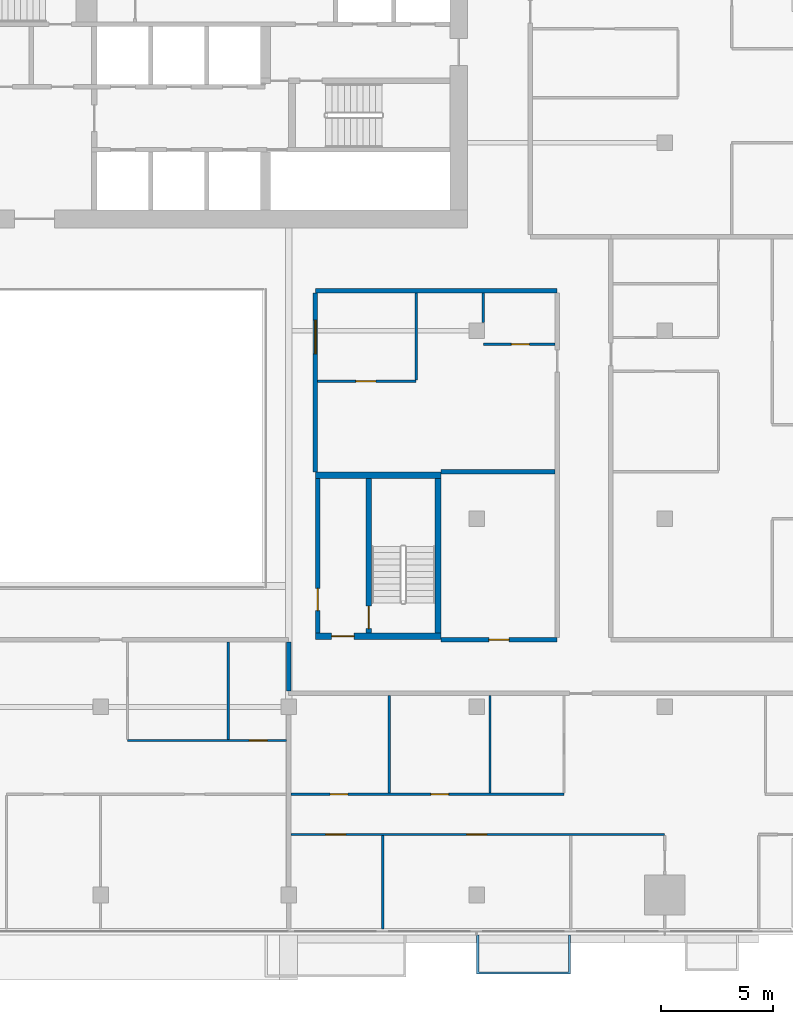
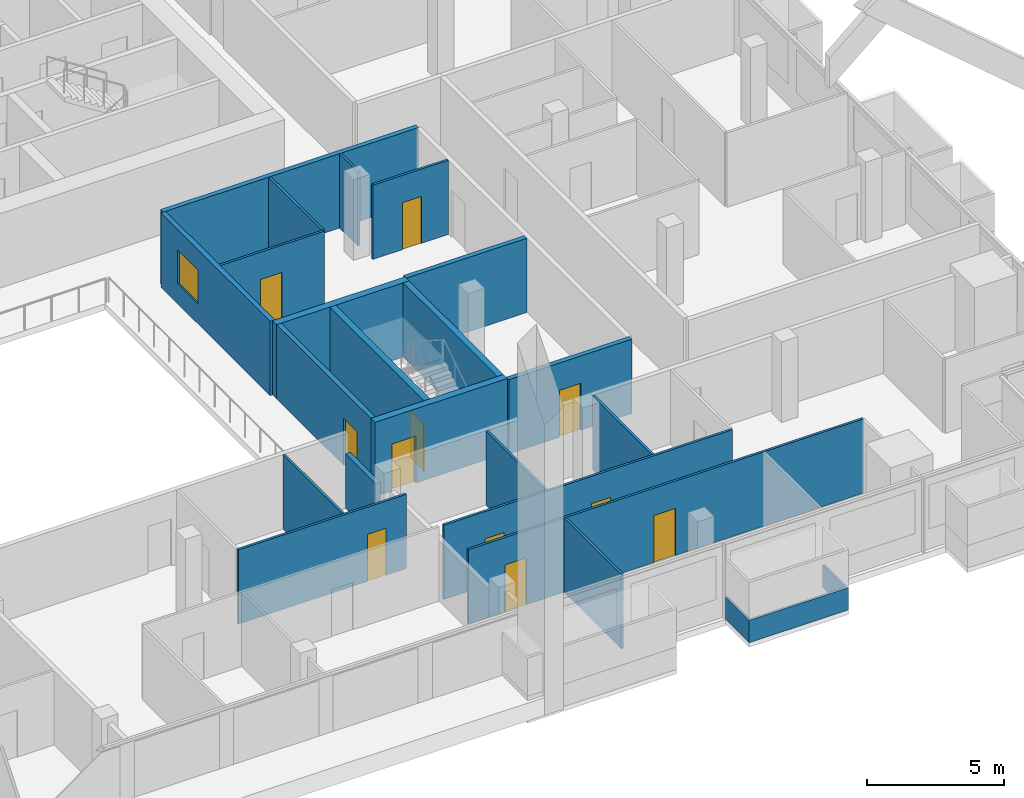
# One storey, part 20 of 31: 22 walls, 11 doors, 1 window, 12 openings.
"""IFC4 building model written with IfcOpenShell, lengths in metres."""

from ifc_helpers import new_model, si_unit, direction, frame, frame_2d, origin, place, context, subcontext, project, spatial, polyline, rectangle, outline, extrude, material, layer, layer_set, type_object, element, fill, save


model = new_model("IFC4")

# Units and contexts
model_context = context("Model", 3, precision=1e-05, world=origin(), true_north=direction((0.0, 1.0)))
body_context = subcontext(model_context, "Body", "Model", "MODEL_VIEW")
ifc_project = project(units=[si_unit("LENGTHUNIT", "METRE"), si_unit("AREAUNIT", "SQUARE_METRE"), si_unit("VOLUMEUNIT", "CUBIC_METRE"), si_unit("PLANEANGLEUNIT", "RADIAN"), si_unit("MASSUNIT", "GRAM", prefix="KILO")], contexts=[model_context])

# Site, building, storey
site_placement = place(None, origin())
site = spatial("IfcSite", under=ifc_project, at=site_placement, CompositionType="ELEMENT")
building_placement = place(site_placement, origin())
building = spatial("IfcBuilding", under=site, at=building_placement, Name="Saffron Gate Tower", CompositionType="ELEMENT")
storey_placement = place(building_placement, frame((0.0, 0.0, 147.449951171875)))
storey = spatial("IfcBuildingStorey", under=building, at=storey_placement, Name="L35", CompositionType="ELEMENT", Elevation=147.449951171875)

# Wall, opening, door
ifc_material_1 = material(Name="Gypsum board partition on steel studs", Category="steel")
ifc_layer_1 = layer(ifc_material_1, 0.199951171875)
ifc_layer_set_1 = layer_set([ifc_layer_1], Name="CW10 Core partition 200")
wall_type_1 = type_object("IfcWallType", Name="CW10 Core partition 200", PredefinedType="PARTITIONING", material=ifc_layer_set_1)
wall_1_placement = place(storey_placement, frame((101.5, 43.5, 0.0), z_axis=(0.0, 0.0, 1.0), x_axis=(0.0, 1.0, 0.0)))
wall_1 = element("IfcWall", 1, at=wall_1_placement, inside=storey, type_object=wall_type_1, Name="Wall CW10-L35-E-2", PredefinedType="PARTITIONING", context=body_context, shape_type="SweptSolid", body=[
    extrude(rectangle(XDim=6.89990234375, YDim=0.199951171875, at=frame_2d((3.449951171875, 0.0))), origin(), (0.0, 0.0, 1.0), 3.320068359375),
])
opening_1_placement = place(wall_1_placement, frame((1.0, 0.0, 0.0)))
opening_1 = element("IfcOpeningElement", 2, at=opening_1_placement, cuts=wall_1, Name="Opening CR-22", PredefinedType="OPENING", context=body_context, shape_type="SweptSolid", body=[
    extrude(rectangle(XDim=1.0, YDim=2.10009765625, at=frame_2d((0.5, 1.050048828125))), frame((0.0, 0.10986328125, 0.0), z_axis=(0.0, -1.0, 0.0), x_axis=(1.0, 0.0, 0.0)), (0.0, 0.0, 1.0), 0.219970703125),
])
ifc_material_2 = material(Name="Steel fire door set", Category="steel")
door_type_1 = type_object("IfcDoorType", Name="CD4 Lobby door 1000x2100 EI 120", OperationType="NOTDEFINED", PredefinedType="DOOR", material=ifc_material_2)
door_1_placement = place(opening_1_placement, origin())
door_1 = element("IfcDoor", 3, at=door_1_placement, inside=storey, type_object=door_type_1, Name="DOOR CR-22", OperationType="SINGLE_SWING_LEFT", OverallHeight=2.10009765625, OverallWidth=1.0, PredefinedType="DOOR", context=body_context, shape_type="SweptSolid", body=[
    extrude(rectangle(XDim=1.0, YDim=2.10009765625, at=frame_2d((0.5, 1.050048828125))), frame((0.0, 0.02490234375, 0.0), z_axis=(0.0, -1.0, 0.0), x_axis=(1.0, 0.0, 0.0)), (0.0, 0.0, 1.0), 0.050048828125),
])
fill(opening_1, door_1)

ifc_material_3 = material(Name="Concrete C60", Category="concrete")
ifc_layer_2 = layer(ifc_material_3, 0.25)
ifc_layer_set_2 = layer_set([ifc_layer_2], Name="CW14 RC core wall 250 C60")
wall_type_2 = type_object("IfcWallType", Name="CW14 RC core wall 250 C60", PredefinedType="SOLIDWALL", material=ifc_layer_set_2)
wall_2_placement = place(storey_placement, frame((103.77490234375, 43.5, 0.0), z_axis=(0.0, 0.0, 1.0), x_axis=(0.0, 1.0, 0.0)))
wall_2 = element("IfcWall", 4, at=wall_2_placement, inside=storey, type_object=wall_type_2, Name="Wall CW14-L35-E-3", PredefinedType="SOLIDWALL", context=body_context, shape_type="SweptSolid", body=[
    extrude(rectangle(XDim=6.89990234375, YDim=0.25, at=frame_2d((3.449951171875, 0.0))), origin(), (0.0, 0.0, 1.0), 3.320068359375),
])
opening_2_placement = place(wall_2_placement, frame((0.199951171875, 0.0, 0.0)))
opening_2 = element("IfcOpeningElement", 5, at=opening_2_placement, cuts=wall_2, Name="Opening CR-23", PredefinedType="OPENING", context=body_context, shape_type="SweptSolid", body=[
    extrude(rectangle(XDim=1.0, YDim=2.10009765625, at=frame_2d((0.5, 1.050048828125))), frame((0.0, 0.135009765625, 0.0), z_axis=(0.0, -1.0, 0.0), x_axis=(1.0, 0.0, 0.0)), (0.0, 0.0, 1.0), 0.27001953125),
])
door_type_2 = type_object("IfcDoorType", Name="CD5 Stair door 1000x2100 EI 120", OperationType="NOTDEFINED", PredefinedType="DOOR", material=ifc_material_2)
door_2_placement = place(opening_2_placement, origin())
door_2 = element("IfcDoor", 6, at=door_2_placement, inside=storey, type_object=door_type_2, Name="DOOR CR-23", OperationType="SINGLE_SWING_RIGHT", OverallHeight=2.10009765625, OverallWidth=1.0, PredefinedType="DOOR", context=body_context, shape_type="SweptSolid", body=[
    extrude(rectangle(XDim=1.0, YDim=2.10009765625, at=frame_2d((0.5, 1.050048828125))), frame((0.0, 0.02490234375, 0.0), z_axis=(0.0, -1.0, 0.0), x_axis=(1.0, 0.0, 0.0)), (0.0, 0.0, 1.0), 0.050048828125),
])
fill(opening_2, door_2)

# Wall
wall_3_placement = place(storey_placement, frame((106.875, 43.5, 0.0), z_axis=(0.0, 0.0, 1.0), x_axis=(0.0, 1.0, 0.0)))
element("IfcWall", 7, at=wall_3_placement, inside=storey, type_object=wall_type_2, Name="Wall CW14-L35-E-4", PredefinedType="SOLIDWALL", context=body_context, shape_type="SweptSolid", body=[
    extrude(rectangle(XDim=6.89990234375, YDim=0.25, at=frame_2d((3.449951171875, 0.0))), origin(), (0.0, 0.0, 1.0), 3.320068359375),
])

# Wall, opening, door
ifc_layer_3 = layer(ifc_material_3, 0.300048828125)
ifc_layer_set_3 = layer_set([ifc_layer_3], Name="CW17 RC core wall 300 C60")
wall_type_3 = type_object("IfcWallType", Name="CW17 RC core wall 300 C60", PredefinedType="SOLIDWALL", material=ifc_layer_set_3)
wall_4_placement = place(storey_placement, frame((101.39990234375, 43.35009765625, 0.0), z_axis=(0.0, 0.0, 1.0), x_axis=(1.0, 0.0, 0.0)))
wall_4 = element("IfcWall", 8, at=wall_4_placement, inside=storey, type_object=wall_type_3, Name="Wall CW17-L35-E-1", PredefinedType="SOLIDWALL", context=body_context, shape_type="SweptSolid", body=[
    extrude(rectangle(XDim=5.60009765625, YDim=0.300048828125, at=frame_2d((2.800048828125, 0.0))), origin(), (0.0, 0.0, 1.0), 3.320068359375),
])
opening_3_placement = place(wall_4_placement, frame((0.72509765625, 0.0, 0.0)))
opening_3 = element("IfcOpeningElement", 9, at=opening_3_placement, cuts=wall_4, Name="Opening CR-21", PredefinedType="OPENING", context=body_context, shape_type="SweptSolid", body=[
    extrude(rectangle(XDim=1.0, YDim=2.10009765625, at=frame_2d((0.5, 1.050048828125))), frame((0.0, 0.16015625, 0.0), z_axis=(0.0, -1.0, 0.0), x_axis=(1.0, 0.0, 0.0)), (0.0, 0.0, 1.0), 0.320068359375),
])
door_3_placement = place(opening_3_placement, origin())
door_3 = element("IfcDoor", 10, at=door_3_placement, inside=storey, type_object=door_type_1, Name="DOOR CR-21", OperationType="SINGLE_SWING_RIGHT", OverallHeight=2.10009765625, OverallWidth=1.0, PredefinedType="DOOR", context=body_context, shape_type="SweptSolid", body=[
    extrude(rectangle(XDim=1.0, YDim=2.10009765625, at=frame_2d((0.5, 1.050048828125))), frame((0.0, 0.02490234375, 0.0), z_axis=(0.0, -1.0, 0.0), x_axis=(1.0, 0.0, 0.0)), (0.0, 0.0, 1.0), 0.050048828125),
])
fill(opening_3, door_3)

# Wall
wall_5_placement = place(storey_placement, frame((101.39990234375, 50.550048828125, 0.0), z_axis=(0.0, 0.0, 1.0), x_axis=(1.0, 0.0, 0.0)))
element("IfcWall", 11, at=wall_5_placement, inside=storey, type_object=wall_type_3, Name="Wall CW17-L35-E-5", PredefinedType="SOLIDWALL", context=body_context, shape_type="SweptSolid", body=[
    extrude(rectangle(XDim=5.60009765625, YDim=0.300048828125, at=frame_2d((2.800048828125, 0.0))), origin(), (0.0, 0.0, 1.0), 3.320068359375),
])

# Wall, openings, doors
ifc_material_4 = material(Name="Plasterboard on steel studs", Category="steel")
ifc_layer_4 = layer(ifc_material_4, 0.10009765625)
ifc_layer_set_4 = layer_set([ifc_layer_4], Name="PW1 Partition 100")
wall_type_4 = type_object("IfcWallType", Name="PW1 Partition 100", PredefinedType="PARTITIONING", material=ifc_layer_set_4)
wall_6_placement = place(storey_placement, frame((117.0, 34.5, 0.0), z_axis=(0.0, 0.0, 1.0), x_axis=(-1.0, 0.0, 0.0)))
wall_6 = element("IfcWall", 12, at=wall_6_placement, inside=storey, type_object=wall_type_4, Name="Partition C1-3", PredefinedType="PARTITIONING", context=body_context, shape_type="SweptSolid", body=[
    extrude(rectangle(XDim=16.699951171875, YDim=0.10009765625, at=frame_2d((8.35009765625, 0.0))), origin(), (0.0, 0.0, 1.0), 3.320068359375),
])
opening_4_placement = place(wall_6_placement, frame((7.949951171875, 0.0, 0.0)))
opening_4 = element("IfcOpeningElement", 13, at=opening_4_placement, cuts=wall_6, Name="Opening C1-20", PredefinedType="OPENING", context=body_context, shape_type="SweptSolid", body=[
    extrude(rectangle(XDim=0.89990234375, YDim=2.10009765625, at=frame_2d((0.449951171875, 1.050048828125))), frame((0.0, 0.06005859375, 0.0), z_axis=(0.0, -1.0, 0.0), x_axis=(1.0, 0.0, 0.0)), (0.0, 0.0, 1.0), 0.1201171875),
])
opening_5_placement = place(wall_6_placement, frame((14.25, 0.0, 0.0)))
opening_5 = element("IfcOpeningElement", 14, at=opening_5_placement, cuts=wall_6, Name="Opening C1-19", PredefinedType="OPENING", context=body_context, shape_type="SweptSolid", body=[
    extrude(rectangle(XDim=0.89990234375, YDim=2.10009765625, at=frame_2d((0.449951171875, 1.050048828125))), frame((0.0, 0.06005859375, 0.0), z_axis=(0.0, -1.0, 0.0), x_axis=(1.0, 0.0, 0.0)), (0.0, 0.0, 1.0), 0.1201171875),
])
ifc_material_5 = material(Name="Timber door set", Category="wood")
door_type_3 = type_object("IfcDoorType", Name="RD1 Room door 900x2100", OperationType="NOTDEFINED", PredefinedType="DOOR", material=ifc_material_5)
door_4_placement = place(opening_4_placement, origin())
door_4 = element("IfcDoor", 15, at=door_4_placement, inside=storey, type_object=door_type_3, Name="Door C1-20", OperationType="SINGLE_SWING_LEFT", OverallHeight=2.10009765625, OverallWidth=0.89990234375, PredefinedType="DOOR", context=body_context, shape_type="SweptSolid", body=[
    extrude(rectangle(XDim=0.89990234375, YDim=2.10009765625, at=frame_2d((0.449951171875, 1.050048828125))), frame((0.0, 0.02490234375, 0.0), z_axis=(0.0, -1.0, 0.0), x_axis=(1.0, 0.0, 0.0)), (0.0, 0.0, 1.0), 0.050048828125),
])
fill(opening_4, door_4)
door_5_placement = place(opening_5_placement, origin())
door_5 = element("IfcDoor", 16, at=door_5_placement, inside=storey, type_object=door_type_3, Name="Door C1-19", OperationType="SINGLE_SWING_RIGHT", OverallHeight=2.10009765625, OverallWidth=0.89990234375, PredefinedType="DOOR", context=body_context, shape_type="SweptSolid", body=[
    extrude(rectangle(XDim=0.89990234375, YDim=2.10009765625, at=frame_2d((0.449951171875, 1.050048828125))), frame((0.0, 0.02490234375, 0.0), z_axis=(0.0, -1.0, 0.0), x_axis=(1.0, 0.0, 0.0)), (0.0, 0.0, 1.0), 0.050048828125),
])
fill(opening_5, door_5)

# Wall, opening, door
wall_7_placement = place(storey_placement, frame((93.0, 38.699951171875, 0.0), z_axis=(0.0, 0.0, 1.0), x_axis=(1.0, 0.0, 0.0)))
wall_7 = element("IfcWall", 17, at=wall_7_placement, inside=storey, type_object=wall_type_4, Name="Partition C1-10", PredefinedType="PARTITIONING", context=body_context, shape_type="SweptSolid", body=[
    extrude(rectangle(XDim=7.10009765625, YDim=0.10009765625, at=frame_2d((3.550048828125, 0.0))), origin(), (0.0, 0.0, 1.0), 3.320068359375),
])
opening_6_placement = place(wall_7_placement, frame((5.449951171875, 0.0, 0.0)))
opening_6 = element("IfcOpeningElement", 18, at=opening_6_placement, cuts=wall_7, Name="Opening C1-43", PredefinedType="OPENING", context=body_context, shape_type="SweptSolid", body=[
    extrude(rectangle(XDim=0.800048828125, YDim=2.10009765625, at=frame_2d((0.39990234375, 1.050048828125))), frame((0.0, 0.06005859375, 0.0), z_axis=(0.0, -1.0, 0.0), x_axis=(1.0, 0.0, 0.0)), (0.0, 0.0, 1.0), 0.1201171875),
])
door_type_4 = type_object("IfcDoorType", Name="RD2 Bathroom door 800x2100", OperationType="NOTDEFINED", PredefinedType="DOOR", material=ifc_material_5)
door_6_placement = place(opening_6_placement, origin())
door_6 = element("IfcDoor", 19, at=door_6_placement, inside=storey, type_object=door_type_4, Name="Door C1-43", OperationType="SINGLE_SWING_RIGHT", OverallHeight=2.10009765625, OverallWidth=0.800048828125, PredefinedType="DOOR", context=body_context, shape_type="SweptSolid", body=[
    extrude(rectangle(XDim=0.800048828125, YDim=2.10009765625, at=frame_2d((0.39990234375, 1.050048828125))), frame((0.0, 0.02490234375, 0.0), z_axis=(0.0, -1.0, 0.0), x_axis=(1.0, 0.0, 0.0)), (0.0, 0.0, 1.0), 0.050048828125),
])
fill(opening_6, door_6)

wall_8_placement = place(storey_placement, frame((101.5, 54.75, 0.0), z_axis=(0.0, 0.0, 1.0), x_axis=(1.0, 0.0, 0.0)))
wall_8 = element("IfcWall", 20, at=wall_8_placement, inside=storey, type_object=wall_type_4, Name="Partition C1-33", PredefinedType="PARTITIONING", context=body_context, shape_type="SweptSolid", body=[
    extrude(rectangle(XDim=4.39990234375, YDim=0.10009765625, at=frame_2d((2.199951171875, 0.0))), origin(), (0.0, 0.0, 1.0), 3.320068359375),
])
opening_7_placement = place(wall_8_placement, frame((1.699951171875, 0.0, 0.0)))
opening_7 = element("IfcOpeningElement", 21, at=opening_7_placement, cuts=wall_8, Name="Opening C1-38", PredefinedType="OPENING", context=body_context, shape_type="SweptSolid", body=[
    extrude(rectangle(XDim=0.89990234375, YDim=2.10009765625, at=frame_2d((0.449951171875, 1.050048828125))), frame((0.0, 0.06005859375, 0.0), z_axis=(0.0, -1.0, 0.0), x_axis=(1.0, 0.0, 0.0)), (0.0, 0.0, 1.0), 0.1201171875),
])
door_7_placement = place(opening_7_placement, origin())
door_7 = element("IfcDoor", 22, at=door_7_placement, inside=storey, type_object=door_type_3, Name="Door C1-38", OperationType="SINGLE_SWING_LEFT", OverallHeight=2.10009765625, OverallWidth=0.89990234375, PredefinedType="DOOR", context=body_context, shape_type="SweptSolid", body=[
    extrude(rectangle(XDim=0.89990234375, YDim=2.10009765625, at=frame_2d((0.449951171875, 1.050048828125))), frame((0.0, 0.02490234375, 0.0), z_axis=(0.0, -1.0, 0.0), x_axis=(1.0, 0.0, 0.0)), (0.0, 0.0, 1.0), 0.050048828125),
])
fill(opening_7, door_7)

wall_9_placement = place(storey_placement, frame((108.89990234375, 56.39990234375, 0.0), z_axis=(0.0, 0.0, 1.0), x_axis=(1.0, 0.0, 0.0)))
wall_9 = element("IfcWall", 23, at=wall_9_placement, inside=storey, type_object=wall_type_4, Name="Partition C1-35", PredefinedType="PARTITIONING", context=body_context, shape_type="SweptSolid", body=[
    extrude(rectangle(XDim=3.2001953125, YDim=0.10009765625, at=frame_2d((1.60009765625, 0.0))), origin(), (0.0, 0.0, 1.0), 3.320068359375),
])
opening_8_placement = place(wall_9_placement, frame((1.25, 0.0, 0.0)))
opening_8 = element("IfcOpeningElement", 24, at=opening_8_placement, cuts=wall_9, Name="Opening C1-53", PredefinedType="OPENING", context=body_context, shape_type="SweptSolid", body=[
    extrude(rectangle(XDim=0.800048828125, YDim=2.10009765625, at=frame_2d((0.39990234375, 1.050048828125))), frame((0.0, 0.06005859375, 0.0), z_axis=(0.0, -1.0, 0.0), x_axis=(1.0, 0.0, 0.0)), (0.0, 0.0, 1.0), 0.1201171875),
])
door_8_placement = place(opening_8_placement, origin())
door_8 = element("IfcDoor", 25, at=door_8_placement, inside=storey, type_object=door_type_4, Name="Door C1-53", OperationType="SINGLE_SWING_RIGHT", OverallHeight=2.10009765625, OverallWidth=0.800048828125, PredefinedType="DOOR", context=body_context, shape_type="SweptSolid", body=[
    extrude(rectangle(XDim=0.800048828125, YDim=2.10009765625, at=frame_2d((0.39990234375, 1.050048828125))), frame((0.0, 0.02490234375, 0.0), z_axis=(0.0, -1.0, 0.0), x_axis=(1.0, 0.0, 0.0)), (0.0, 0.0, 1.0), 0.050048828125),
])
fill(opening_8, door_8)

# Walls
wall_10_placement = place(storey_placement, frame((97.5, 43.10009765625, 0.0), z_axis=(0.0, 0.0, 1.0), x_axis=(0.0, -1.0, 0.0)))
element("IfcWall", 26, at=wall_10_placement, inside=storey, type_object=wall_type_4, Name="Partition C1-90", PredefinedType="PARTITIONING", context=body_context, shape_type="SweptSolid", body=[
    extrude(rectangle(XDim=4.35009765625, YDim=0.10009765625, at=frame_2d((2.175048828125, 0.0))), origin(), (0.0, 0.0, 1.0), 3.320068359375),
])
wall_11_placement = place(storey_placement, frame((104.39990234375, 34.449951171875, 0.0), z_axis=(0.0, 0.0, 1.0), x_axis=(0.0, -1.0, 0.0)))
element("IfcWall", 27, at=wall_11_placement, inside=storey, type_object=wall_type_4, Name="Partition C1-95", PredefinedType="PARTITIONING", context=body_context, shape_type="SweptSolid", body=[
    extrude(rectangle(XDim=4.169921875, YDim=0.10009765625, at=frame_2d((2.0849609375, 0.0))), origin(), (0.0, 0.0, 1.0), 3.320068359375),
])
wall_12_placement = place(storey_placement, frame((104.699951171875, 40.699951171875, 0.0), z_axis=(0.0, 0.0, 1.0), x_axis=(0.0, -1.0, 0.0)))
element("IfcWall", 28, at=wall_12_placement, inside=storey, type_object=wall_type_4, Name="Partition C1-96", PredefinedType="PARTITIONING", context=body_context, shape_type="SweptSolid", body=[
    extrude(rectangle(XDim=4.349853515625, YDim=0.10009765625, at=frame_2d((2.1748046875, 0.0))), origin(), (0.0, 0.0, 1.0), 3.320068359375),
])
wall_13_placement = place(storey_placement, frame((105.89990234375, 58.699951171875, 0.0), z_axis=(0.0, 0.0, 1.0), x_axis=(0.0, -1.0, 0.0)))
element("IfcWall", 29, at=wall_13_placement, inside=storey, type_object=wall_type_4, Name="Partition C1-97", PredefinedType="PARTITIONING", context=body_context, shape_type="SweptSolid", body=[
    extrude(rectangle(XDim=3.89990234375, YDim=0.10009765625, at=frame_2d((1.949951171875, 0.0))), origin(), (0.0, 0.0, 1.0), 3.320068359375),
])
wall_14_placement = place(storey_placement, frame((108.89990234375, 58.699951171875, 0.0), z_axis=(0.0, 0.0, 1.0), x_axis=(0.0, -1.0, 0.0)))
element("IfcWall", 30, at=wall_14_placement, inside=storey, type_object=wall_type_4, Name="Partition C1-98", PredefinedType="PARTITIONING", context=body_context, shape_type="SweptSolid", body=[
    extrude(rectangle(XDim=1.329833984375, YDim=0.10009765625, at=frame_2d((0.6650390625, 0.0))), origin(), (0.0, 0.0, 1.0), 3.320068359375),
])
wall_15_placement = place(storey_placement, frame((109.199951171875, 40.699951171875, 0.0), z_axis=(0.0, 0.0, 1.0), x_axis=(0.0, -1.0, 0.0)))
element("IfcWall", 31, at=wall_15_placement, inside=storey, type_object=wall_type_4, Name="Partition C1-99", PredefinedType="PARTITIONING", context=body_context, shape_type="SweptSolid", body=[
    extrude(rectangle(XDim=4.349853515625, YDim=0.10009765625, at=frame_2d((2.1748046875, 0.0))), origin(), (0.0, 0.0, 1.0), 3.320068359375),
])

# Wall, openings, doors
wall_16_placement = place(storey_placement, frame((100.300048828125, 36.300048828125, 0.0), z_axis=(0.0, 0.0, 1.0), x_axis=(1.0, 0.0, 0.0)))
wall_16 = element("IfcWall", 32, at=wall_16_placement, inside=storey, type_object=wall_type_4, Name="Partition C1-119", PredefinedType="PARTITIONING", context=body_context, shape_type="SweptSolid", body=[
    extrude(rectangle(XDim=12.199951171875, YDim=0.10009765625, at=frame_2d((6.10009765625, 0.0))), origin(), (0.0, 0.0, 1.0), 3.320068359375),
])
opening_9_placement = place(wall_16_placement, frame((1.75, 0.0, 0.0)))
opening_9 = element("IfcOpeningElement", 33, at=opening_9_placement, cuts=wall_16, Name="Opening C1-44", PredefinedType="OPENING", context=body_context, shape_type="SweptSolid", body=[
    extrude(rectangle(XDim=0.800048828125, YDim=2.10009765625, at=frame_2d((0.39990234375, 1.050048828125))), frame((0.0, 0.06005859375, 0.0), z_axis=(0.0, -1.0, 0.0), x_axis=(1.0, 0.0, 0.0)), (0.0, 0.0, 1.0), 0.1201171875),
])
opening_10_placement = place(wall_16_placement, frame((6.25, 0.0, 0.0)))
opening_10 = element("IfcOpeningElement", 34, at=opening_10_placement, cuts=wall_16, Name="Opening C1-45", PredefinedType="OPENING", context=body_context, shape_type="SweptSolid", body=[
    extrude(rectangle(XDim=0.800048828125, YDim=2.10009765625, at=frame_2d((0.39990234375, 1.050048828125))), frame((0.0, 0.06005859375, 0.0), z_axis=(0.0, -1.0, 0.0), x_axis=(1.0, 0.0, 0.0)), (0.0, 0.0, 1.0), 0.1201171875),
])
door_9_placement = place(opening_9_placement, origin())
door_9 = element("IfcDoor", 35, at=door_9_placement, inside=storey, type_object=door_type_4, Name="Door C1-44", OperationType="SINGLE_SWING_LEFT", OverallHeight=2.10009765625, OverallWidth=0.800048828125, PredefinedType="DOOR", context=body_context, shape_type="SweptSolid", body=[
    extrude(rectangle(XDim=0.800048828125, YDim=2.10009765625, at=frame_2d((0.39990234375, 1.050048828125))), frame((0.0, 0.02490234375, 0.0), z_axis=(0.0, -1.0, 0.0), x_axis=(1.0, 0.0, 0.0)), (0.0, 0.0, 1.0), 0.050048828125),
])
fill(opening_9, door_9)
door_10_placement = place(opening_10_placement, origin())
door_10 = element("IfcDoor", 36, at=door_10_placement, inside=storey, type_object=door_type_4, Name="Door C1-45", OperationType="SINGLE_SWING_RIGHT", OverallHeight=2.10009765625, OverallWidth=0.800048828125, PredefinedType="DOOR", context=body_context, shape_type="SweptSolid", body=[
    extrude(rectangle(XDim=0.800048828125, YDim=2.10009765625, at=frame_2d((0.39990234375, 1.050048828125))), frame((0.0, 0.02490234375, 0.0), z_axis=(0.0, -1.0, 0.0), x_axis=(1.0, 0.0, 0.0)), (0.0, 0.0, 1.0), 0.050048828125),
])
fill(opening_10, door_10)

# Wall
ifc_material_6 = material(Name="Clay brick masonry, rendered", Category="masonry")
ifc_layer_5 = layer(ifc_material_6, 0.199951171875)
ifc_layer_set_5 = layer_set([ifc_layer_5], Name="PW2 Demising wall 200")
wall_type_5 = type_object("IfcWallType", Name="PW2 Demising wall 200", PredefinedType="PARTITIONING", material=ifc_layer_set_5)
wall_17_placement = place(storey_placement, frame((107.0, 50.699951171875, 0.0), z_axis=(0.0, 0.0, 1.0), x_axis=(1.0, 0.0, 0.0)))
element("IfcWall", 37, at=wall_17_placement, inside=storey, type_object=wall_type_5, Name="Wall C1-27", PredefinedType="PARTITIONING", context=body_context, shape_type="SweptSolid", body=[
    extrude(rectangle(XDim=5.10009765625, YDim=0.199951171875, at=frame_2d((2.550048828125, 0.0))), origin(), (0.0, 0.0, 1.0), 3.320068359375),
])

# Wall, opening, door
ifc_layer_6 = layer(ifc_material_6, 0.199951171875)
ifc_layer_set_6 = layer_set([ifc_layer_6], Name="PW3 Corridor wall 200")
wall_type_6 = type_object("IfcWallType", Name="PW3 Corridor wall 200", PredefinedType="PARTITIONING", material=ifc_layer_set_6)
wall_18_placement = place(storey_placement, frame((107.0, 43.199951171875, 0.0), z_axis=(0.0, 0.0, 1.0), x_axis=(1.0, 0.0, 0.0)))
wall_18 = element("IfcWall", 38, at=wall_18_placement, inside=storey, type_object=wall_type_6, Name="Wall C1-18", PredefinedType="PARTITIONING", context=body_context, shape_type="SweptSolid", body=[
    extrude(rectangle(XDim=5.199951171875, YDim=0.199951171875, at=frame_2d((2.60009765625, 0.0))), origin(), (0.0, 0.0, 1.0), 3.320068359375),
])
opening_11_placement = place(wall_18_placement, frame((2.14990234375, 0.0, 0.0)))
opening_11 = element("IfcOpeningElement", 39, at=opening_11_placement, cuts=wall_18, Name="Opening C1-54", PredefinedType="OPENING", context=body_context, shape_type="SweptSolid", body=[
    extrude(rectangle(XDim=0.89990234375, YDim=2.10009765625, at=frame_2d((0.449951171875, 1.050048828125))), frame((0.0, 0.10986328125, 0.0), z_axis=(0.0, -1.0, 0.0), x_axis=(1.0, 0.0, 0.0)), (0.0, 0.0, 1.0), 0.219970703125),
])
door_type_5 = type_object("IfcDoorType", Name="SD1 Service door 900x2100", OperationType="NOTDEFINED", PredefinedType="DOOR", material=ifc_material_2)
door_11_placement = place(opening_11_placement, origin())
door_11 = element("IfcDoor", 40, at=door_11_placement, inside=storey, type_object=door_type_5, Name="Door C1-54", OperationType="SINGLE_SWING_LEFT", OverallHeight=2.10009765625, OverallWidth=0.89990234375, PredefinedType="DOOR", context=body_context, shape_type="SweptSolid", body=[
    extrude(rectangle(XDim=0.89990234375, YDim=2.10009765625, at=frame_2d((0.449951171875, 1.050048828125))), frame((0.0, 0.02490234375, 0.0), z_axis=(0.0, -1.0, 0.0), x_axis=(1.0, 0.0, 0.0)), (0.0, 0.0, 1.0), 0.050048828125),
])
fill(opening_11, door_11)

# Walls
wall_19_placement = place(storey_placement, frame((101.39990234375, 58.800048828125, 0.0), z_axis=(0.0, 0.0, 1.0), x_axis=(1.0, 0.0, 0.0)))
element("IfcWall", 41, at=wall_19_placement, inside=storey, type_object=wall_type_6, Name="Wall C1-40", PredefinedType="PARTITIONING", context=body_context, shape_type="SweptSolid", body=[
    extrude(rectangle(XDim=10.800048828125, YDim=0.199951171875, at=frame_2d((5.39990234375, 0.0))), origin(), (0.0, 0.0, 1.0), 3.320068359375),
])
wall_20_placement = place(storey_placement, frame((100.199951171875, 43.10009765625, 0.0), z_axis=(0.0, 0.0, 1.0), x_axis=(0.0, -1.0, 0.0)))
element("IfcWall", 42, at=wall_20_placement, inside=storey, type_object=wall_type_6, Name="Wall C1-91", PredefinedType="PARTITIONING", context=body_context, shape_type="SweptSolid", body=[
    extrude(rectangle(XDim=2.2001953125, YDim=0.199951171875, at=frame_2d((1.10009765625, 0.0))), origin(), (0.0, 0.0, 1.0), 2.429931640625),
])

# Wall, opening, window
wall_21_placement = place(storey_placement, frame((101.39990234375, 58.699951171875, 0.0), z_axis=(0.0, 0.0, 1.0), x_axis=(0.0, -1.0, 0.0)))
wall_21 = element("IfcWall", 43, at=wall_21_placement, inside=storey, type_object=wall_type_6, Name="Wall C1-94", PredefinedType="PARTITIONING", context=body_context, shape_type="SweptSolid", body=[
    extrude(rectangle(XDim=8.0, YDim=0.199951171875, at=frame_2d((4.0, 0.0))), origin(), (0.0, 0.0, 1.0), 3.320068359375),
])
opening_12_placement = place(wall_21_placement, frame((1.22509765625, 0.0, 0.89990234375)))
opening_12 = element("IfcOpeningElement", 44, at=opening_12_placement, cuts=wall_21, Name="Opening GW1", PredefinedType="OPENING", context=body_context, shape_type="SweptSolid", body=[
    extrude(rectangle(XDim=1.5, YDim=1.5, at=frame_2d((0.75, 0.75))), frame((0.0, 0.10986328125, 0.0), z_axis=(0.0, -1.0, 0.0), x_axis=(1.0, 0.0, 0.0)), (0.0, 0.0, 1.0), 0.219970703125),
])
ifc_material_7 = material(Name="Fire-resisting laminated glass in steel frame", Category="steel")
ifc_layer_7 = layer(ifc_material_7, 0.06005859375)
ifc_layer_set_7 = layer_set([ifc_layer_7], Name="GW1 Gallery window 1500x1500")
window_type = type_object("IfcWindowType", Name="GW1 Gallery window 1500x1500", PartitioningType="SINGLE_PANEL", PredefinedType="WINDOW", material=ifc_layer_set_7)
window_placement = place(opening_12_placement, origin())
window = element("IfcWindow", 45, at=window_placement, inside=storey, type_object=window_type, Name="GW1 window C1-K-B1", OverallHeight=1.5, OverallWidth=1.5, PartitioningType="SINGLE_PANEL", PredefinedType="WINDOW", context=body_context, shape_type="SweptSolid", body=[
    extrude(rectangle(XDim=1.5, YDim=1.5, at=frame_2d((0.75, 0.75))), frame((0.0, 0.030029296875, 0.0), z_axis=(0.0, -1.0, 0.0), x_axis=(1.0, 0.0, 0.0)), (0.0, 0.0, 1.0), 0.06005859375),
])
fill(opening_12, window)

# Wall
ifc_material_8 = material(Name="Rendered insulated panel, white")
ifc_layer_8 = layer(ifc_material_8, 0.10009765625)
ifc_layer_set_8 = layer_set([ifc_layer_8], Name="WB3 box parapet white")
wall_type_7 = type_object("IfcWallType", Name="WB3 box parapet white", PredefinedType="SOLIDWALL", material=ifc_layer_set_8)
wall_22_placement = place(storey_placement, origin())
element("IfcWall", 46, at=wall_22_placement, inside=storey, type_object=wall_type_7, Name="WINDOW BOX parapet", PredefinedType="SOLIDWALL", context=body_context, shape_type="SweptSolid", body=[
    extrude(outline(polyline([(108.60009765625, 30.0), (108.699951171875, 30.0), (108.699951171875, 28.366943359375), (112.699951171875, 28.366943359375), (112.699951171875, 30.0), (112.800048828125, 30.0), (112.800048828125, 28.26708984375), (108.60009765625, 28.26708984375), (108.60009765625, 30.0)])), origin(), (0.0, 0.0, 1.0), 1.0),
])

save(model, "model.ifc")
